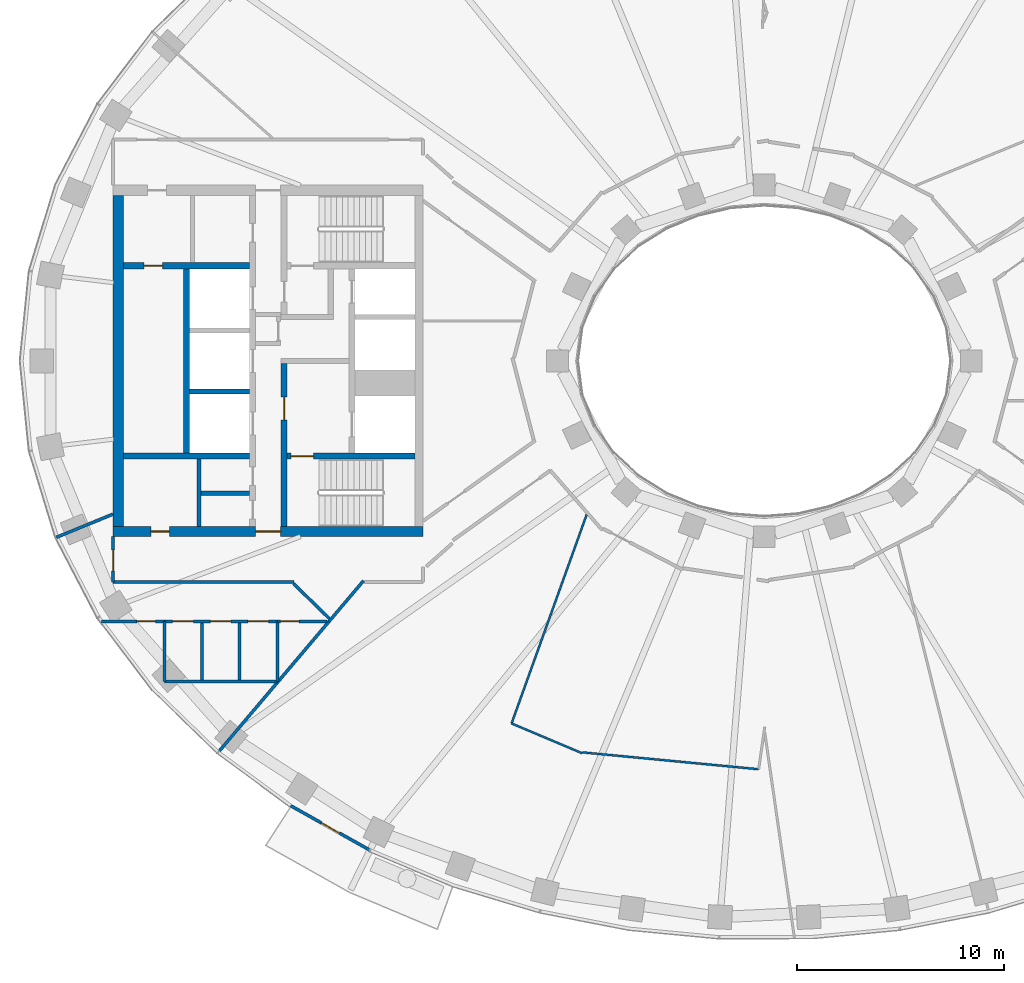
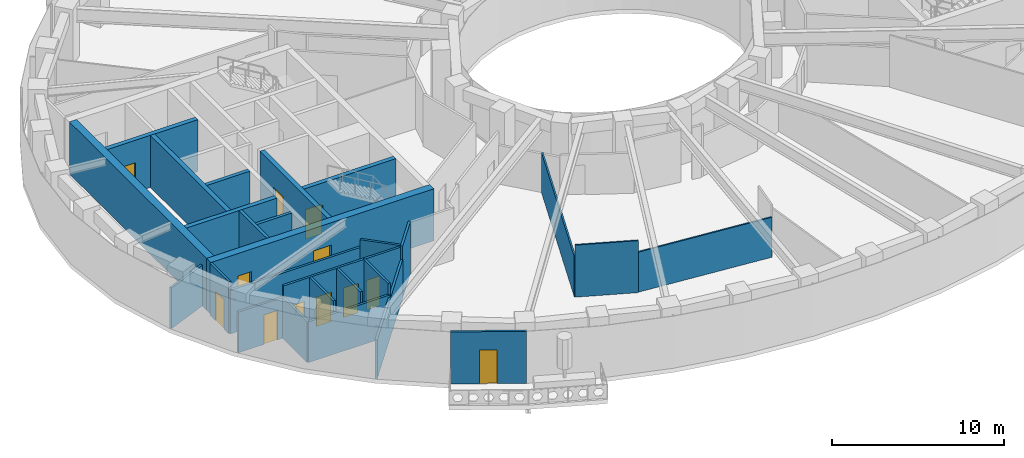
# One storey, part 3 of 15: 28 walls, 12 doors, 12 openings.
"""IFC4 building model written with IfcOpenShell, lengths in metres."""

from ifc_helpers import new_model, si_unit, direction, frame, frame_2d, origin, place, context, subcontext, project, spatial, rectangle, extrude, material, layer, layer_set, type_object, element, fill, save


model = new_model("IFC4")

# Units and contexts
model_context = context("Model", 3, precision=1e-05, world=origin(), true_north=direction((0.0, 1.0)))
body_context = subcontext(model_context, "Body", "Model", "MODEL_VIEW")
ifc_project = project(units=[si_unit("LENGTHUNIT", "METRE"), si_unit("AREAUNIT", "SQUARE_METRE"), si_unit("VOLUMEUNIT", "CUBIC_METRE"), si_unit("PLANEANGLEUNIT", "RADIAN"), si_unit("MASSUNIT", "GRAM", prefix="KILO")], contexts=[model_context])

# Site, building, storey
site_placement = place(None, origin())
site = spatial("IfcSite", under=ifc_project, at=site_placement, CompositionType="ELEMENT")
building_placement = place(site_placement, origin())
building = spatial("IfcBuilding", under=site, at=building_placement, Name="Noorbagh Ring Tower", CompositionType="ELEMENT")
storey_placement = place(building_placement, frame((0.0, 0.0, 182.0)))
storey = spatial("IfcBuildingStorey", under=building, at=storey_placement, Name="L42", CompositionType="ELEMENT", Elevation=182.0)

# Wall, opening, door
ifc_material_1 = material(Name="Gypsum board on steel studs", Category="steel")
ifc_layer_1 = layer(ifc_material_1, 0.14990234375)
ifc_layer_set_1 = layer_set([ifc_layer_1], Name="Gypsum board on steel studs")
wall_type_1 = type_object("IfcWallType", Name="COMPARTMENT PARTITION 150 EI 60", PredefinedType="PARTITIONING", material=ifc_layer_set_1)
wall_1_placement = place(storey_placement, frame((-32.06298828125, -12.60009765625, 0.0), z_axis=(0.0, 0.0, 1.0), x_axis=(1.0, 0.0, 0.0)))
wall_1 = element("IfcWall", 1, at=wall_1_placement, inside=storey, type_object=wall_type_1, Name="L42/wall/P02", PredefinedType="PARTITIONING", context=body_context, shape_type="SweptSolid", body=[
    extrude(rectangle(XDim=3.046875, YDim=0.14990234375, at=frame_2d((1.5234375, 0.0))), origin(), (0.0, 0.0, 1.0), 2.89990234375),
])
opening_1_placement = place(wall_1_placement, frame((1.712890625, 0.0, 0.0)))
opening_1 = element("IfcOpeningElement", 2, at=opening_1_placement, cuts=wall_1, Name="Opening D4", PredefinedType="OPENING", context=body_context, shape_type="SweptSolid", body=[
    extrude(rectangle(XDim=0.89990234375, YDim=2.10009765625, at=frame_2d((0.449951171875, 1.050048828125))), frame((0.0, 0.0849609375, 0.0), z_axis=(0.0, -1.0, 0.0), x_axis=(1.0, 0.0, 0.0)), (0.0, 0.0, 1.0), 0.169921875),
])
ifc_material_2 = material(Name="Timber, painted", Category="wood")
door_type_1 = type_object("IfcDoorType", Name="DOOR 900 X 2100 FD60", OperationType="SINGLE_SWING_LEFT", PredefinedType="DOOR", material=ifc_material_2)
door_1_placement = place(opening_1_placement, origin())
door_1 = element("IfcDoor", 3, at=door_1_placement, inside=storey, type_object=door_type_1, Name="L42-D05", OperationType="SINGLE_SWING_RIGHT", OverallHeight=2.10009765625, OverallWidth=0.89990234375, PredefinedType="DOOR", context=body_context, shape_type="SweptSolid", body=[
    extrude(rectangle(XDim=0.89990234375, YDim=2.10009765625, at=frame_2d((0.449951171875, 1.050048828125))), frame((0.0, 0.02490234375, 0.0), z_axis=(0.0, -1.0, 0.0), x_axis=(1.0, 0.0, 0.0)), (0.0, 0.0, 1.0), 0.050048828125),
])
fill(opening_1, door_1)

# Walls
wall_2_placement = place(storey_placement, frame((-29.01611328125, -15.49609375, 0.0), z_axis=(0.0, 0.0, 1.0), x_axis=(0.0, 1.0, 0.0)))
element("IfcWall", 4, at=wall_2_placement, inside=storey, type_object=wall_type_1, Name="L42/wall/P08", PredefinedType="PARTITIONING", context=body_context, shape_type="SweptSolid", body=[
    extrude(rectangle(XDim=2.89599609375, YDim=0.14990234375, at=frame_2d((1.447998046875, 0.0))), origin(), (0.0, 0.0, 1.0), 2.89990234375),
])
wall_3_placement = place(storey_placement, frame((-29.011962890625, -15.5, 0.0), z_axis=(0.0, 0.0, 1.0), x_axis=(1.0, 0.0, 0.0)))
element("IfcWall", 5, at=wall_3_placement, inside=storey, type_object=wall_type_1, Name="L42/wall/P10", PredefinedType="PARTITIONING", context=body_context, shape_type="SweptSolid", body=[
    extrude(rectangle(XDim=5.4560546875, YDim=0.14990234375, at=frame_2d((2.72802734375, 0.0))), origin(), (0.0, 0.0, 1.0), 2.89990234375),
])
wall_4_placement = place(storey_placement, frame((-26.427978515625, -18.946044921875, 0.0), z_axis=(0.0, 0.0, 1.0), x_axis=(0.646259235329, 0.763117946816, 0.0)))
element("IfcWall", 6, at=wall_4_placement, inside=storey, type_object=wall_type_1, Name="L42/wall/P12", PredefinedType="PARTITIONING", context=body_context, shape_type="SweptSolid", body=[
    extrude(rectangle(XDim=8.38818359375, YDim=0.14990234375, at=frame_2d((4.194091796875, 0.0))), origin(), (0.0, 0.0, 1.0), 2.75),
])
wall_5_placement = place(storey_placement, frame((-23.555908203125, -15.5, 0.0), z_axis=(0.0, 0.0, 1.0), x_axis=(0.0, 1.0, 0.0)))
element("IfcWall", 7, at=wall_5_placement, inside=storey, type_object=wall_type_1, Name="L42/wall/P14", PredefinedType="PARTITIONING", context=body_context, shape_type="SweptSolid", body=[
    extrude(rectangle(XDim=2.89990234375, YDim=0.14990234375, at=frame_2d((1.449951171875, 0.0))), origin(), (0.0, 0.0, 1.0), 3.699951171875),
])

# Wall, opening, door
wall_6_placement = place(storey_placement, frame((-23.555908203125, -12.60009765625, 0.0), z_axis=(0.0, 0.0, 1.0), x_axis=(1.0, 0.0, 0.0)))
wall_6 = element("IfcWall", 8, at=wall_6_placement, inside=storey, type_object=wall_type_1, Name="L42/wall/P15", PredefinedType="PARTITIONING", context=body_context, shape_type="SweptSolid", body=[
    extrude(rectangle(XDim=2.39990234375, YDim=0.14990234375, at=frame_2d((1.199951171875, 0.0))), origin(), (0.0, 0.0, 1.0), 3.699951171875),
])
opening_2_placement = place(wall_6_placement, frame((0.14990234375, 0.0, 0.0)))
opening_2 = element("IfcOpeningElement", 9, at=opening_2_placement, cuts=wall_6, Name="Opening D4", PredefinedType="OPENING", context=body_context, shape_type="SweptSolid", body=[
    extrude(rectangle(XDim=0.89990234375, YDim=2.10009765625, at=frame_2d((0.449951171875, 1.050048828125))), frame((0.0, 0.0849609375, 0.0), z_axis=(0.0, -1.0, 0.0), x_axis=(1.0, 0.0, 0.0)), (0.0, 0.0, 1.0), 0.169921875),
])
door_2_placement = place(opening_2_placement, origin())
door_2 = element("IfcDoor", 10, at=door_2_placement, inside=storey, type_object=door_type_1, Name="L42-D04", OperationType="SINGLE_SWING_LEFT", OverallHeight=2.10009765625, OverallWidth=0.89990234375, PredefinedType="DOOR", context=body_context, shape_type="SweptSolid", body=[
    extrude(rectangle(XDim=0.89990234375, YDim=2.10009765625, at=frame_2d((0.449951171875, 1.050048828125))), frame((0.0, 0.02490234375, 0.0), z_axis=(0.0, -1.0, 0.0), x_axis=(1.0, 0.0, 0.0)), (0.0, 0.0, 1.0), 0.050048828125),
])
fill(opening_2, door_2)

# Walls
ifc_material_3 = material(Name="Gypsum board on steel studs", Category="steel")
ifc_layer_2 = layer(ifc_material_3, 0.199951171875)
ifc_layer_set_2 = layer_set([ifc_layer_2], Name="Gypsum board on steel studs")
wall_type_2 = type_object("IfcWallType", Name="CORE-PARTITION-200", PredefinedType="PARTITIONING", material=ifc_layer_set_2)
wall_7_placement = place(storey_placement, frame((-27.35009765625, -8.0, 0.0), z_axis=(0.0, 0.0, 1.0), x_axis=(0.0, 1.0, 0.0)))
element("IfcWall", 11, at=wall_7_placement, inside=storey, type_object=wall_type_2, Name="Core partition W", PredefinedType="PARTITIONING", context=body_context, shape_type="SweptSolid", body=[
    extrude(rectangle(XDim=3.25, YDim=0.199951171875, at=frame_2d((1.625, 0.0))), origin(), (0.0, 0.0, 1.0), 3.699951171875),
])
wall_8_placement = place(storey_placement, frame((-24.89990234375, -6.39990234375, 0.0), z_axis=(0.0, 0.0, 1.0), x_axis=(-1.0, 0.0, 0.0)))
element("IfcWall", 12, at=wall_8_placement, inside=storey, type_object=wall_type_2, Name="Core partition W", PredefinedType="PARTITIONING", context=body_context, shape_type="SweptSolid", body=[
    extrude(rectangle(XDim=2.35009765625, YDim=0.199951171875, at=frame_2d((1.175048828125, 0.0))), origin(), (0.0, 0.0, 1.0), 3.699951171875),
])
ifc_material_4 = material(Name="Concrete C60/75", Category="concrete")
ifc_layer_3 = layer(ifc_material_4, 0.25)
ifc_layer_set_3 = layer_set([ifc_layer_3], Name="Concrete C60/75")
wall_type_3 = type_object("IfcWallType", Name="CORE-WALL-250-C60-75-EI120", PredefinedType="SHEAR", material=ifc_layer_set_3)
wall_9_placement = place(storey_placement, frame((-24.89990234375, -1.47509765625, 0.0), z_axis=(0.0, 0.0, 1.0), x_axis=(-1.0, 0.0, 0.0)))
element("IfcWall", 13, at=wall_9_placement, inside=storey, type_object=wall_type_3, Name="Core wall W", PredefinedType="SHEAR", context=body_context, shape_type="SweptSolid", body=[
    extrude(rectangle(XDim=2.900146484375, YDim=0.25, at=frame_2d((1.4501953125, 0.0))), origin(), (0.0, 0.0, 1.0), 3.699951171875),
])
ifc_material_5 = material(Name="Concrete C60/75", Category="concrete")
ifc_layer_4 = layer(ifc_material_5, 0.300048828125)
ifc_layer_set_4 = layer_set([ifc_layer_4], Name="Concrete C60/75")
wall_type_4 = type_object("IfcWallType", Name="CORE-WALL-300-C60-75-EI120", PredefinedType="SHEAR", material=ifc_layer_set_4)
wall_10_placement = place(storey_placement, frame((-27.949951171875, -4.449951171875, 0.0), z_axis=(0.0, 0.0, 1.0), x_axis=(0.0, 1.0, 0.0)))
element("IfcWall", 14, at=wall_10_placement, inside=storey, type_object=wall_type_4, Name="Core wall W", PredefinedType="SHEAR", context=body_context, shape_type="SweptSolid", body=[
    extrude(rectangle(XDim=8.89990234375, YDim=0.300048828125, at=frame_2d((4.449951171875, 0.0))), origin(), (0.0, 0.0, 1.0), 3.699951171875),
])

# Wall, opening, door
ifc_material_6 = material(Name="Concrete C60/75", Category="concrete")
ifc_layer_5 = layer(ifc_material_6, 0.300048828125)
ifc_layer_set_5 = layer_set([ifc_layer_5], Name="Concrete C60/75")
wall_type_5 = type_object("IfcWallType", Name="CORE-WALL-300-C60-75-EI240", PredefinedType="SHEAR", material=ifc_layer_set_5)
wall_11_placement = place(storey_placement, frame((-24.89990234375, 4.60009765625, 0.0), z_axis=(0.0, 0.0, 1.0), x_axis=(-1.0, 0.0, 0.0)))
wall_11 = element("IfcWall", 15, at=wall_11_placement, inside=storey, type_object=wall_type_5, Name="Core wall W", PredefinedType="SHEAR", context=body_context, shape_type="SweptSolid", body=[
    extrude(rectangle(XDim=6.10009765625, YDim=0.300048828125, at=frame_2d((3.050048828125, 0.0))), origin(), (0.0, 0.0, 1.0), 3.699951171875),
])
opening_3_placement = place(wall_11_placement, frame((4.199951171875, 0.0, 0.0)))
opening_3 = element("IfcOpeningElement", 16, at=opening_3_placement, cuts=wall_11, Name="Opening L42-CW18", PredefinedType="OPENING", context=body_context, shape_type="SweptSolid", body=[
    extrude(rectangle(XDim=0.89990234375, YDim=2.10009765625, at=frame_2d((0.449951171875, 1.050048828125))), frame((0.0, 0.16015625, 0.0), z_axis=(0.0, -1.0, 0.0), x_axis=(1.0, 0.0, 0.0)), (0.0, 0.0, 1.0), 0.320068359375),
])
ifc_material_7 = material(Name="Steel door leaf", Category="steel")
door_type_2 = type_object("IfcDoorType", Name="CORE-DOOR-DROOM", OperationType="SINGLE_SWING_LEFT", PredefinedType="DOOR", material=ifc_material_7)
door_3_placement = place(opening_3_placement, origin())
door_3 = element("IfcDoor", 17, at=door_3_placement, inside=storey, type_object=door_type_2, Name="Core room door L42-CW18", OperationType="SINGLE_SWING_LEFT", OverallHeight=2.10009765625, OverallWidth=0.89990234375, PredefinedType="DOOR", context=body_context, shape_type="SweptSolid", body=[
    extrude(rectangle(XDim=0.89990234375, YDim=2.10009765625, at=frame_2d((0.449951171875, 1.050048828125))), frame((0.0, 0.02490234375, 0.0), z_axis=(0.0, -1.0, 0.0), x_axis=(1.0, 0.0, 0.0)), (0.0, 0.0, 1.0), 0.050048828125),
])
fill(opening_3, door_3)

# Wall
wall_12_placement = place(storey_placement, frame((-24.89990234375, -4.60009765625, 0.0), z_axis=(0.0, 0.0, 1.0), x_axis=(-1.0, 0.0, 0.0)))
element("IfcWall", 18, at=wall_12_placement, inside=storey, type_object=wall_type_5, Name="Core wall W", PredefinedType="SHEAR", context=body_context, shape_type="SweptSolid", body=[
    extrude(rectangle(XDim=6.10009765625, YDim=0.300048828125, at=frame_2d((3.050048828125, 0.0))), origin(), (0.0, 0.0, 1.0), 3.699951171875),
])

# Wall, opening, door
wall_13_placement = place(storey_placement, frame((-23.22998046875, -8.0, 0.0), z_axis=(0.0, 0.0, 1.0), x_axis=(0.0, 1.0, 0.0)))
wall_13 = element("IfcWall", 19, at=wall_13_placement, inside=storey, type_object=wall_type_5, Name="Core wall W", PredefinedType="SHEAR", context=body_context, shape_type="SweptSolid", body=[
    extrude(rectangle(XDim=7.875, YDim=0.300048828125, at=frame_2d((3.9375, 0.0))), origin(), (0.0, 0.0, 1.0), 3.699951171875),
])
opening_4_placement = place(wall_13_placement, frame((5.14990234375, 0.0, 0.0)))
opening_4 = element("IfcOpeningElement", 20, at=opening_4_placement, cuts=wall_13, Name="Opening L42-CW08", PredefinedType="OPENING", context=body_context, shape_type="SweptSolid", body=[
    extrude(rectangle(XDim=1.10009765625, YDim=2.10009765625, at=frame_2d((0.550048828125, 1.050048828125))), frame((0.0, 0.16015625, 0.0), z_axis=(0.0, -1.0, 0.0), x_axis=(1.0, 0.0, 0.0)), (0.0, 0.0, 1.0), 0.320068359375),
])
ifc_material_8 = material(Name="Steel door leaf", Category="steel")
door_type_3 = type_object("IfcDoorType", Name="CORE-DOOR-DFF", OperationType="SINGLE_SWING_LEFT", PredefinedType="DOOR", material=ifc_material_8)
door_4_placement = place(opening_4_placement, origin())
door_4 = element("IfcDoor", 21, at=door_4_placement, inside=storey, type_object=door_type_3, Name="Firefighting lobby door L42-CW08", OperationType="SINGLE_SWING_LEFT", OverallHeight=2.10009765625, OverallWidth=1.10009765625, PredefinedType="DOOR", context=body_context, shape_type="SweptSolid", body=[
    extrude(rectangle(XDim=1.10009765625, YDim=2.10009765625, at=frame_2d((0.550048828125, 1.050048828125))), frame((0.0, 0.02490234375, 0.0), z_axis=(0.0, -1.0, 0.0), x_axis=(1.0, 0.0, 0.0)), (0.0, 0.0, 1.0), 0.050048828125),
])
fill(opening_4, door_4)

wall_14_placement = place(storey_placement, frame((-16.89990234375, -4.60009765625, 0.0), z_axis=(0.0, 0.0, 1.0), x_axis=(-1.0, 0.0, 0.0)))
wall_14 = element("IfcWall", 22, at=wall_14_placement, inside=storey, type_object=wall_type_5, Name="Core wall W", PredefinedType="SHEAR", context=body_context, shape_type="SweptSolid", body=[
    extrude(rectangle(XDim=6.18017578125, YDim=0.300048828125, at=frame_2d((3.090087890625, 0.0))), origin(), (0.0, 0.0, 1.0), 3.699951171875),
])
opening_5_placement = place(wall_14_placement, frame((4.89990234375, 0.0, 0.0)))
opening_5 = element("IfcOpeningElement", 23, at=opening_5_placement, cuts=wall_14, Name="Opening L42-CW07", PredefinedType="OPENING", context=body_context, shape_type="SweptSolid", body=[
    extrude(rectangle(XDim=1.10009765625, YDim=2.10009765625, at=frame_2d((0.550048828125, 1.050048828125))), frame((0.0, 0.16015625, 0.0), z_axis=(0.0, -1.0, 0.0), x_axis=(1.0, 0.0, 0.0)), (0.0, 0.0, 1.0), 0.320068359375),
])
ifc_material_9 = material(Name="Steel door leaf", Category="steel")
door_type_4 = type_object("IfcDoorType", Name="CORE-DOOR-DSTAIR", OperationType="SINGLE_SWING_LEFT", PredefinedType="DOOR", material=ifc_material_9)
door_5_placement = place(opening_5_placement, origin())
door_5 = element("IfcDoor", 24, at=door_5_placement, inside=storey, type_object=door_type_4, Name="Stair door ST2 L42-CW07", OperationType="SINGLE_SWING_LEFT", OverallHeight=2.10009765625, OverallWidth=1.10009765625, PredefinedType="DOOR", context=body_context, shape_type="SweptSolid", body=[
    extrude(rectangle(XDim=1.10009765625, YDim=2.10009765625, at=frame_2d((0.550048828125, 1.050048828125))), frame((0.0, 0.02490234375, 0.0), z_axis=(0.0, -1.0, 0.0), x_axis=(1.0, 0.0, 0.0)), (0.0, 0.0, 1.0), 0.050048828125),
])
fill(opening_5, door_5)

# Wall, openings, doors
ifc_material_10 = material(Name="Concrete C60/75", Category="concrete")
ifc_layer_6 = layer(ifc_material_10, 0.5)
ifc_layer_set_6 = layer_set([ifc_layer_6], Name="Concrete C60/75")
wall_type_6 = type_object("IfcWallType", Name="CORE-WALL-500-C60-75-EI240", PredefinedType="SHEAR", material=ifc_layer_set_6)
wall_15_placement = place(storey_placement, frame((-16.5, -8.25, 0.0), z_axis=(0.0, 0.0, 1.0), x_axis=(-1.0, 0.0, 0.0)))
wall_15 = element("IfcWall", 25, at=wall_15_placement, inside=storey, type_object=wall_type_6, Name="Core wall W", PredefinedType="SHEAR", context=body_context, shape_type="SweptSolid", body=[
    extrude(rectangle(XDim=15.0, YDim=0.5, at=frame_2d((7.5, 0.0))), origin(), (0.0, 0.0, 1.0), 3.699951171875),
])
opening_6_placement = place(wall_15_placement, frame((6.89990234375, 0.0, 0.0)))
opening_6 = element("IfcOpeningElement", 26, at=opening_6_placement, cuts=wall_15, Name="Opening L42-CW11", PredefinedType="OPENING", context=body_context, shape_type="SweptSolid", body=[
    extrude(rectangle(XDim=1.199951171875, YDim=2.10009765625, at=frame_2d((0.60009765625, 1.050048828125))), frame((0.0, 0.260009765625, 0.0), z_axis=(0.0, -1.0, 0.0), x_axis=(1.0, 0.0, 0.0)), (0.0, 0.0, 1.0), 0.52001953125),
])
opening_7_placement = place(wall_15_placement, frame((12.27490234375, 0.0, 0.0)))
opening_7 = element("IfcOpeningElement", 27, at=opening_7_placement, cuts=wall_15, Name="Opening L42-CW16", PredefinedType="OPENING", context=body_context, shape_type="SweptSolid", body=[
    extrude(rectangle(XDim=0.89990234375, YDim=2.10009765625, at=frame_2d((0.449951171875, 1.050048828125))), frame((0.0, 0.260009765625, 0.0), z_axis=(0.0, -1.0, 0.0), x_axis=(1.0, 0.0, 0.0)), (0.0, 0.0, 1.0), 0.52001953125),
])
door_6_placement = place(opening_7_placement, origin())
door_6 = element("IfcDoor", 28, at=door_6_placement, inside=storey, type_object=door_type_2, Name="Core room door L42-CW16", OperationType="SINGLE_SWING_LEFT", OverallHeight=2.10009765625, OverallWidth=0.89990234375, PredefinedType="DOOR", context=body_context, shape_type="SweptSolid", body=[
    extrude(rectangle(XDim=0.89990234375, YDim=2.10009765625, at=frame_2d((0.449951171875, 1.050048828125))), frame((0.0, 0.02490234375, 0.0), z_axis=(0.0, -1.0, 0.0), x_axis=(1.0, 0.0, 0.0)), (0.0, 0.0, 1.0), 0.050048828125),
])
fill(opening_7, door_6)
ifc_material_11 = material(Name="Steel door leaf", Category="steel")
door_type_5 = type_object("IfcDoorType", Name="CORE-DOOR-PORT", OperationType="DOUBLE_DOOR_DOUBLE_SWING", PredefinedType="DOOR", material=ifc_material_11)
door_7_placement = place(opening_6_placement, origin())
door_7 = element("IfcDoor", 29, at=door_7_placement, inside=storey, type_object=door_type_5, Name="Core entrance door L42-CW11", OperationType="DOUBLE_DOOR_DOUBLE_SWING", OverallHeight=2.10009765625, OverallWidth=1.199951171875, PredefinedType="DOOR", context=body_context, shape_type="SweptSolid", body=[
    extrude(rectangle(XDim=1.199951171875, YDim=2.10009765625, at=frame_2d((0.60009765625, 1.050048828125))), frame((0.0, 0.02490234375, 0.0), z_axis=(0.0, -1.0, 0.0), x_axis=(1.0, 0.0, 0.0)), (0.0, 0.0, 1.0), 0.050048828125),
])
fill(opening_6, door_7)

# Walls
wall_16_placement = place(storey_placement, frame((-31.25, -8.0, 0.0), z_axis=(0.0, 0.0, 1.0), x_axis=(0.0, 1.0, 0.0)))
element("IfcWall", 30, at=wall_16_placement, inside=storey, type_object=wall_type_6, Name="Core wall W", PredefinedType="SHEAR", context=body_context, shape_type="SweptSolid", body=[
    extrude(rectangle(XDim=16.0, YDim=0.5, at=frame_2d((8.0, 0.0))), origin(), (0.0, 0.0, 1.0), 3.699951171875),
])
ifc_material_12 = material(Name="Gypsum board on steel studs", Category="steel")
ifc_layer_7 = layer(ifc_material_12, 0.14990234375)
ifc_layer_set_7 = layer_set([ifc_layer_7], Name="Gypsum board on steel studs")
wall_type_7 = type_object("IfcWallType", Name="CORRIDOR PARTITION 150 EI 30", PredefinedType="PARTITIONING", material=ifc_layer_set_7)
wall_17_placement = place(storey_placement, frame((-34.23388671875, -8.530029296875, 0.0), z_axis=(0.0, 0.0, 1.0), x_axis=(0.925344112436, 0.379128307542, 0.0)))
element("IfcWall", 31, at=wall_17_placement, inside=storey, type_object=wall_type_7, Name="L42/wall/P01", PredefinedType="PARTITIONING", context=body_context, shape_type="SweptSolid", body=[
    extrude(rectangle(XDim=2.954345703125, YDim=0.14990234375, at=frame_2d((1.47705078125, 0.0))), origin(), (0.0, 0.0, 1.0), 2.89990234375),
])

# Wall, opening, door
wall_18_placement = place(storey_placement, frame((-31.5, -10.699951171875, 0.0), z_axis=(0.0, 0.0, 1.0), x_axis=(0.0, 1.0, 0.0)))
wall_18 = element("IfcWall", 32, at=wall_18_placement, inside=storey, type_object=wall_type_7, Name="L42/wall/P03", PredefinedType="PARTITIONING", context=body_context, shape_type="SweptSolid", body=[
    extrude(rectangle(XDim=2.199951171875, YDim=0.14990234375, at=frame_2d((1.10009765625, 0.0))), origin(), (0.0, 0.0, 1.0), 3.699951171875),
])
opening_8_placement = place(wall_18_placement, frame((0.550048828125, 0.0, 0.0)))
opening_8 = element("IfcOpeningElement", 33, at=opening_8_placement, cuts=wall_18, Name="Opening D1", PredefinedType="OPENING", context=body_context, shape_type="SweptSolid", body=[
    extrude(rectangle(XDim=1.0, YDim=2.10009765625, at=frame_2d((0.5, 1.050048828125))), frame((0.0, 0.0849609375, 0.0), z_axis=(0.0, -1.0, 0.0), x_axis=(1.0, 0.0, 0.0)), (0.0, 0.0, 1.0), 0.169921875),
])
ifc_material_13 = material(Name="Timber, painted", Category="wood")
door_type_6 = type_object("IfcDoorType", Name="DOOR 1000 X 2100 FD30", OperationType="SINGLE_SWING_LEFT", PredefinedType="DOOR", material=ifc_material_13)
door_8_placement = place(opening_8_placement, origin())
door_8 = element("IfcDoor", 34, at=door_8_placement, inside=storey, type_object=door_type_6, Name="L42-D20", OperationType="SINGLE_SWING_RIGHT", OverallHeight=2.10009765625, OverallWidth=1.0, PredefinedType="DOOR", context=body_context, shape_type="SweptSolid", body=[
    extrude(rectangle(XDim=1.0, YDim=2.10009765625, at=frame_2d((0.5, 1.050048828125))), frame((0.0, 0.02490234375, 0.0), z_axis=(0.0, -1.0, 0.0), x_axis=(1.0, 0.0, 0.0)), (0.0, 0.0, 1.0), 0.050048828125),
])
fill(opening_8, door_8)

# Wall
wall_19_placement = place(storey_placement, frame((-31.5, -10.699951171875, 0.0), z_axis=(0.0, 0.0, 1.0), x_axis=(1.0, 0.0, 0.0)))
element("IfcWall", 35, at=wall_19_placement, inside=storey, type_object=wall_type_7, Name="L42/wall/P04", PredefinedType="PARTITIONING", context=body_context, shape_type="SweptSolid", body=[
    extrude(rectangle(XDim=8.761962890625, YDim=0.14990234375, at=frame_2d((4.380859375, 0.0))), origin(), (0.0, 0.0, 1.0), 3.10009765625),
])

# Wall, openings, doors
wall_20_placement = place(storey_placement, frame((-29.01611328125, -12.60009765625, 0.0), z_axis=(0.0, 0.0, 1.0), x_axis=(1.0, 0.0, 0.0)))
wall_20 = element("IfcWall", 36, at=wall_20_placement, inside=storey, type_object=wall_type_7, Name="L42/wall/P09", PredefinedType="PARTITIONING", context=body_context, shape_type="SweptSolid", body=[
    extrude(rectangle(XDim=5.460205078125, YDim=0.14990234375, at=frame_2d((2.72998046875, 0.0))), origin(), (0.0, 0.0, 1.0), 3.699951171875),
])
opening_9_placement = place(wall_20_placement, frame((0.39990234375, 0.0, 0.0)))
opening_9 = element("IfcOpeningElement", 37, at=opening_9_placement, cuts=wall_20, Name="Opening D3", PredefinedType="OPENING", context=body_context, shape_type="SweptSolid", body=[
    extrude(rectangle(XDim=1.0, YDim=2.10009765625, at=frame_2d((0.5, 1.050048828125))), frame((0.0, 0.0849609375, 0.0), z_axis=(0.0, -1.0, 0.0), x_axis=(1.0, 0.0, 0.0)), (0.0, 0.0, 1.0), 0.169921875),
])
opening_10_placement = place(wall_20_placement, frame((2.219970703125, 0.0, 0.0)))
opening_10 = element("IfcOpeningElement", 38, at=opening_10_placement, cuts=wall_20, Name="Opening D3", PredefinedType="OPENING", context=body_context, shape_type="SweptSolid", body=[
    extrude(rectangle(XDim=1.0, YDim=2.10009765625, at=frame_2d((0.5, 1.050048828125))), frame((0.0, 0.0849609375, 0.0), z_axis=(0.0, -1.0, 0.0), x_axis=(1.0, 0.0, 0.0)), (0.0, 0.0, 1.0), 0.169921875),
])
opening_11_placement = place(wall_20_placement, frame((4.0400390625, 0.0, 0.0)))
opening_11 = element("IfcOpeningElement", 39, at=opening_11_placement, cuts=wall_20, Name="Opening D3", PredefinedType="OPENING", context=body_context, shape_type="SweptSolid", body=[
    extrude(rectangle(XDim=1.0, YDim=2.10009765625, at=frame_2d((0.5, 1.050048828125))), frame((0.0, 0.0849609375, 0.0), z_axis=(0.0, -1.0, 0.0), x_axis=(1.0, 0.0, 0.0)), (0.0, 0.0, 1.0), 0.169921875),
])
ifc_material_14 = material(Name="Timber, painted", Category="wood")
door_type_7 = type_object("IfcDoorType", Name="DOOR 1000 X 2100 WC", OperationType="SINGLE_SWING_LEFT", PredefinedType="DOOR", material=ifc_material_14)
door_9_placement = place(opening_9_placement, origin())
door_9 = element("IfcDoor", 40, at=door_9_placement, inside=storey, type_object=door_type_7, Name="L42-D01", OperationType="SINGLE_SWING_LEFT", OverallHeight=2.10009765625, OverallWidth=1.0, PredefinedType="DOOR", context=body_context, shape_type="SweptSolid", body=[
    extrude(rectangle(XDim=1.0, YDim=2.10009765625, at=frame_2d((0.5, 1.050048828125))), frame((0.0, 0.02490234375, 0.0), z_axis=(0.0, -1.0, 0.0), x_axis=(1.0, 0.0, 0.0)), (0.0, 0.0, 1.0), 0.050048828125),
])
fill(opening_9, door_9)
door_10_placement = place(opening_10_placement, origin())
door_10 = element("IfcDoor", 41, at=door_10_placement, inside=storey, type_object=door_type_7, Name="L42-D02", OperationType="SINGLE_SWING_RIGHT", OverallHeight=2.10009765625, OverallWidth=1.0, PredefinedType="DOOR", context=body_context, shape_type="SweptSolid", body=[
    extrude(rectangle(XDim=1.0, YDim=2.10009765625, at=frame_2d((0.5, 1.050048828125))), frame((0.0, 0.02490234375, 0.0), z_axis=(0.0, -1.0, 0.0), x_axis=(1.0, 0.0, 0.0)), (0.0, 0.0, 1.0), 0.050048828125),
])
fill(opening_10, door_10)
door_11_placement = place(opening_11_placement, origin())
door_11 = element("IfcDoor", 42, at=door_11_placement, inside=storey, type_object=door_type_7, Name="L42-D03", OperationType="SINGLE_SWING_LEFT", OverallHeight=2.10009765625, OverallWidth=1.0, PredefinedType="DOOR", context=body_context, shape_type="SweptSolid", body=[
    extrude(rectangle(XDim=1.0, YDim=2.10009765625, at=frame_2d((0.5, 1.050048828125))), frame((0.0, 0.02490234375, 0.0), z_axis=(0.0, -1.0, 0.0), x_axis=(1.0, 0.0, 0.0)), (0.0, 0.0, 1.0), 0.050048828125),
])
fill(opening_11, door_11)

# Walls
for number, where, z_axis, x_axis, name in (
    (43, (-27.196044921875, -15.425048828125, 0.0), (0.0, 0.0, 1.0), (0.0, 1.0, 0.0), "L42/wall/P11"),
    (44, (-25.3759765625, -15.425048828125, 0.0), (0.0, 0.0, 1.0), (0.0, 1.0, 0.0), "L42/wall/P13"),
):
    element("IfcWall", number, at=place(storey_placement, frame(where, z_axis=z_axis, x_axis=x_axis)), inside=storey, type_object=wall_type_7, Name=name, PredefinedType="PARTITIONING", context=body_context, shape_type="SweptSolid", body=[
        extrude(rectangle(XDim=2.75, YDim=0.14990234375, at=frame_2d((1.375, 0.0))), origin(), (0.0, 0.0, 1.0), 3.699951171875),
    ])
wall_21_placement = place(storey_placement, frame((-22.764892578125, -10.778076171875, 0.0), z_axis=(0.0, 0.0, 1.0), x_axis=(0.716199777284, -0.69789532096, 0.0)))
element("IfcWall", 45, at=wall_21_placement, inside=storey, type_object=wall_type_7, Name="L42/wall/P16", PredefinedType="PARTITIONING", context=body_context, shape_type="SweptSolid", body=[
    extrude(rectangle(XDim=2.4140625, YDim=0.14990234375, at=frame_2d((1.20703125, 0.0))), origin(), (0.0, 0.0, 1.0), 3.699951171875),
])
wall_22_placement = place(storey_placement, frame((-21.05810546875, -12.60498046875, 0.0), z_axis=(0.0, 0.0, 1.0), x_axis=(0.646427819344, 0.762975146632, 0.0)))
element("IfcWall", 46, at=wall_22_placement, inside=storey, type_object=wall_type_7, Name="L42/wall/P17", PredefinedType="PARTITIONING", context=body_context, shape_type="SweptSolid", body=[
    extrude(rectangle(XDim=2.59130859375, YDim=0.14990234375, at=frame_2d((1.295654296875, 0.0))), origin(), (0.0, 0.0, 1.0), 3.699951171875),
])

# Wall, opening, door
ifc_material_15 = material(Name="Insulated aluminium clad panel", Category="aluminium")
ifc_layer_8 = layer(ifc_material_15, 0.14990234375)
ifc_layer_set_8 = layer_set([ifc_layer_8], Name="Insulated aluminium clad panel")
wall_type_8 = type_object("IfcWallType", Name="ENV-WALL-DOOR", PredefinedType="STANDARD", material=ifc_layer_set_8)
wall_23_placement = place(storey_placement, frame((-22.913330078125, -21.508544921875, 0.0), z_axis=(0.0, 0.0, 1.0), x_axis=(0.872046572975, -0.489422899509, 0.0)))
wall_23 = element("IfcWall", 47, at=wall_23_placement, inside=storey, type_object=wall_type_8, Name="Balcony door wall chord 30", PredefinedType="STANDARD", context=body_context, shape_type="SweptSolid", body=[
    extrude(rectangle(XDim=4.425537109375, YDim=0.14990234375, at=frame_2d((2.212890625, 0.0))), origin(), (0.0, 0.0, 1.0), 3.699951171875),
])
opening_12_placement = place(wall_23_placement, frame((1.712646484375, 0.0, 0.0)))
opening_12 = element("IfcOpeningElement", 48, at=opening_12_placement, cuts=wall_23, Name="Opening D-BL", PredefinedType="OPENING", context=body_context, shape_type="SweptSolid", body=[
    extrude(rectangle(XDim=1.0, YDim=2.39990234375, at=frame_2d((0.5, 1.199951171875))), frame((0.0, 0.0849609375, 0.0), z_axis=(0.0, -1.0, 0.0), x_axis=(1.0, 0.0, 0.0)), (0.0, 0.0, 1.0), 0.169921875),
])
ifc_material_16 = material(Name="Aluminium and glass", Category="aluminium")
door_type_8 = type_object("IfcDoorType", Name="ENV-DOOR-BALCONY", OperationType="SINGLE_SWING_LEFT", PredefinedType="DOOR", material=ifc_material_16)
door_12_placement = place(opening_12_placement, origin())
door_12 = element("IfcDoor", 49, at=door_12_placement, inside=storey, type_object=door_type_8, Name="Balcony door chord 30", OperationType="SINGLE_SWING_LEFT", OverallHeight=2.39990234375, OverallWidth=1.0, PredefinedType="DOOR", context=body_context, shape_type="SweptSolid", body=[
    extrude(rectangle(XDim=1.0, YDim=2.39990234375, at=frame_2d((0.5, 1.199951171875))), frame((0.0, 0.02490234375, 0.0), z_axis=(0.0, -1.0, 0.0), x_axis=(1.0, 0.0, 0.0)), (0.0, 0.0, 1.0), 0.050048828125),
])
fill(opening_12, door_12)

# Walls
ifc_material_17 = material(Name="Gypsum board on steel studs", Category="steel")
ifc_layer_9 = layer(ifc_material_17, 0.10009765625)
ifc_layer_set_9 = layer_set([ifc_layer_9], Name="Gypsum board on steel studs")
wall_type_9 = type_object("IfcWallType", Name="PARTITION 100 GYPSUM", PredefinedType="PARTITIONING", material=ifc_layer_set_9)
wall_24_placement = place(storey_placement, frame((-12.22607421875, -17.532958984375, 0.0), z_axis=(0.0, 0.0, 1.0), x_axis=(0.921281560061, -0.388896242065, 0.0)))
element("IfcWall", 50, at=wall_24_placement, inside=storey, type_object=wall_type_9, Name="L42/wall/P26", PredefinedType="PARTITIONING", context=body_context, shape_type="SweptSolid", body=[
    extrude(rectangle(XDim=3.705810546875, YDim=0.10009765625, at=frame_2d((1.85302734375, 0.0))), origin(), (0.0, 0.0, 1.0), 3.699951171875),
])
wall_25_placement = place(storey_placement, frame((-12.22607421875, -17.532958984375, 0.0), z_axis=(0.0, 0.0, 1.0), x_axis=(0.3384158552, 0.940996657246, 0.0)))
element("IfcWall", 51, at=wall_25_placement, inside=storey, type_object=wall_type_9, Name="L42/wall/P27", PredefinedType="PARTITIONING", context=body_context, shape_type="SweptSolid", body=[
    extrude(rectangle(XDim=10.735595703125, YDim=0.10009765625, at=frame_2d((5.36767578125, 0.0))), origin(), (0.0, 0.0, 1.0), 2.85009765625),
])
wall_26_placement = place(storey_placement, frame((-8.802001953125, -18.931884765625, 0.0), z_axis=(0.0, 0.0, 1.0), x_axis=(0.995450657157, -0.095278482174, 0.0)))
element("IfcWall", 52, at=wall_26_placement, inside=storey, type_object=wall_type_9, Name="L42/wall/P32", PredefinedType="PARTITIONING", context=body_context, shape_type="SweptSolid", body=[
    extrude(rectangle(XDim=8.566162109375, YDim=0.10009765625, at=frame_2d((4.283203125, 0.0))), origin(), (0.0, 0.0, 1.0), 2.85009765625),
])

save(model, "model.ifc")
